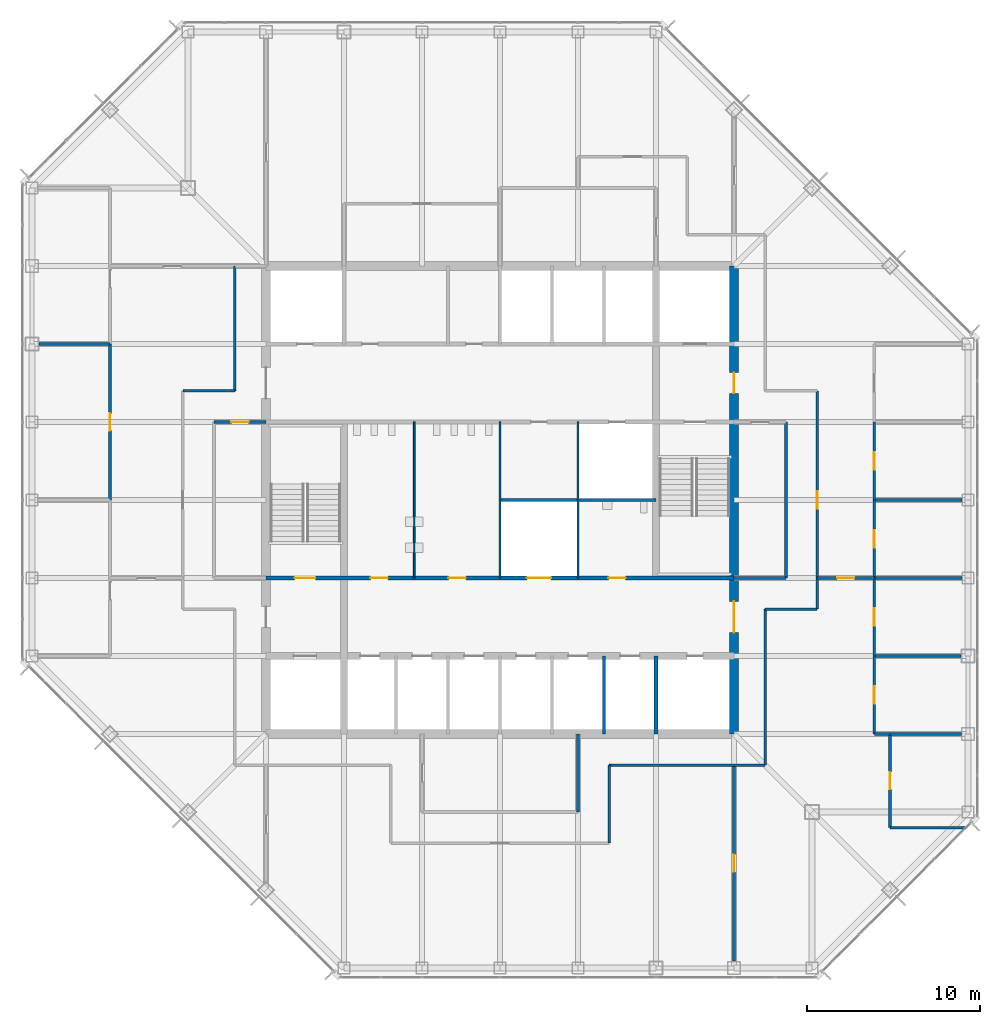
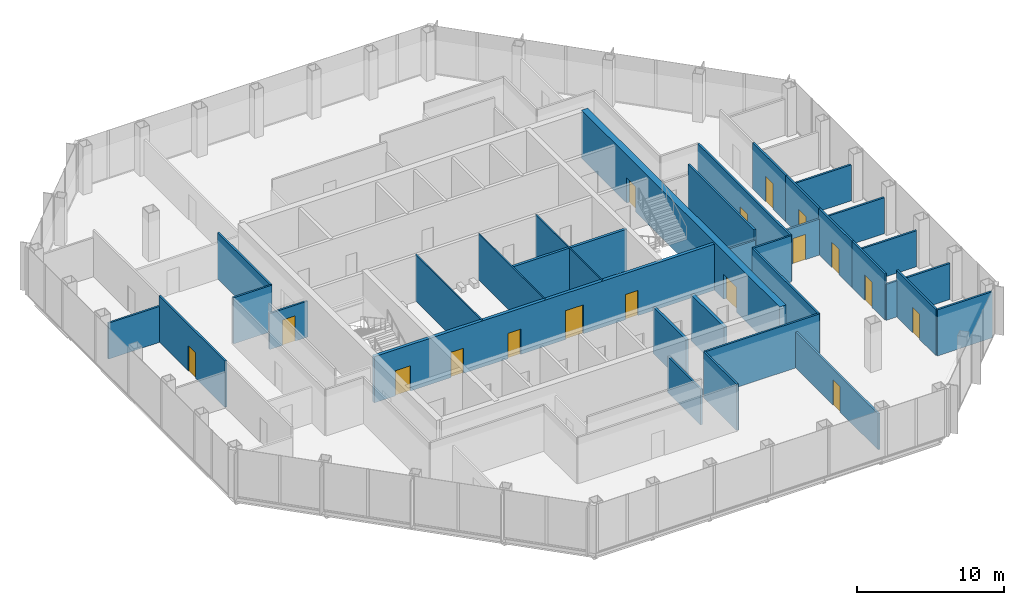
# One storey, part 9 of 13: 34 walls, 17 doors, 17 openings.
"""IFC4 building model written with IfcOpenShell, lengths in metres."""

from ifc_helpers import new_model, si_unit, direction, frame, frame_2d, origin, place, context, subcontext, project, spatial, rectangle, extrude, material, layer, layer_set, type_object, element, fill, save


model = new_model("IFC4")

# Units and contexts
model_context = context("Model", 3, precision=1e-05, world=origin(), true_north=direction((0.0, 1.0)))
body_context = subcontext(model_context, "Body", "Model", "MODEL_VIEW")
ifc_project = project(units=[si_unit("LENGTHUNIT", "METRE"), si_unit("AREAUNIT", "SQUARE_METRE"), si_unit("VOLUMEUNIT", "CUBIC_METRE"), si_unit("PLANEANGLEUNIT", "RADIAN"), si_unit("MASSUNIT", "GRAM", prefix="KILO")], contexts=[model_context])

# Site, building, storey
site_placement = place(None, origin())
site = spatial("IfcSite", under=ifc_project, at=site_placement, CompositionType="ELEMENT")
building_placement = place(site_placement, origin())
building = spatial("IfcBuilding", under=site, at=building_placement, Name="Corais Broadcast Tower", CompositionType="ELEMENT")
storey_placement = place(building_placement, frame((0.0, 0.0, 179.60009765625)))
storey = spatial("IfcBuildingStorey", under=building, at=storey_placement, Name="L41", CompositionType="ELEMENT", Elevation=179.60009765625)

# Wall
ifc_material_1 = material(Name="Concrete blockwork class A, grouted, two-hour", Category="masonry")
ifc_layer_1 = layer(ifc_material_1, 0.25)
ifc_layer_set_1 = layer_set([ifc_layer_1], Name="Concrete blockwork class A, grouted, two-hour")
wall_type_1 = type_object("IfcWallType", Name="Core lobby wall 250", PredefinedType="SOLIDWALL", material=ifc_layer_set_1)
wall_1_placement = place(storey_placement, frame((36.0, 13.5, 0.0), z_axis=(0.0, 0.0, 1.0), x_axis=(0.0, 1.0, 0.0)))
element("IfcWall", 1, at=wall_1_placement, inside=storey, type_object=wall_type_1, Name="CL2 core shaft wall X36A L41", PredefinedType="SOLIDWALL", context=body_context, shape_type="SweptSolid", body=[
    extrude(rectangle(XDim=4.5, YDim=0.25, at=frame_2d((2.25, 0.0))), origin(), (0.0, 0.0, 1.0), 3.83984375),
])

# Wall, openings, doors
wall_2_placement = place(storey_placement, frame((13.5, 22.5, 0.0), z_axis=(0.0, 0.0, 1.0), x_axis=(1.0, 0.0, 0.0)))
wall_2 = element("IfcWall", 2, at=wall_2_placement, inside=storey, type_object=wall_type_1, Name="CL2 core lobby wall Y225 L41", PredefinedType="SOLIDWALL", context=body_context, shape_type="SweptSolid", body=[
    extrude(rectangle(XDim=27.0, YDim=0.25, at=frame_2d((13.5, 0.0))), origin(), (0.0, 0.0, 1.0), 3.83984375),
])
opening_1_placement = place(wall_2_placement, frame((1.64990234375, 0.0, 0.0)))
opening_1 = element("IfcOpeningElement", 3, at=opening_1_placement, cuts=wall_2, Name="Opening FD1", PredefinedType="OPENING", context=body_context, shape_type="SweptSolid", body=[
    extrude(rectangle(XDim=1.199951171875, YDim=2.10009765625, at=frame_2d((0.60009765625, 1.050048828125))), frame((0.0, 0.135009765625, 0.0), z_axis=(0.0, -1.0, 0.0), x_axis=(1.0, 0.0, 0.0)), (0.0, 0.0, 1.0), 0.27001953125),
])
opening_2_placement = place(wall_2_placement, frame((6.02490234375, 0.0, 0.0)))
opening_2 = element("IfcOpeningElement", 4, at=opening_2_placement, cuts=wall_2, Name="Opening WD1", PredefinedType="OPENING", context=body_context, shape_type="SweptSolid", body=[
    extrude(rectangle(XDim=1.0, YDim=2.10009765625, at=frame_2d((0.5, 1.050048828125))), frame((0.0, 0.135009765625, 0.0), z_axis=(0.0, -1.0, 0.0), x_axis=(1.0, 0.0, 0.0)), (0.0, 0.0, 1.0), 0.27001953125),
])
opening_3_placement = place(wall_2_placement, frame((10.52490234375, 0.0, 0.0)))
opening_3 = element("IfcOpeningElement", 5, at=opening_3_placement, cuts=wall_2, Name="Opening WD1", PredefinedType="OPENING", context=body_context, shape_type="SweptSolid", body=[
    extrude(rectangle(XDim=1.0, YDim=2.10009765625, at=frame_2d((0.5, 1.050048828125))), frame((0.0, 0.135009765625, 0.0), z_axis=(0.0, -1.0, 0.0), x_axis=(1.0, 0.0, 0.0)), (0.0, 0.0, 1.0), 0.27001953125),
])
opening_4_placement = place(wall_2_placement, frame((19.75, 0.0, 0.0)))
opening_4 = element("IfcOpeningElement", 6, at=opening_4_placement, cuts=wall_2, Name="Opening WD1", PredefinedType="OPENING", context=body_context, shape_type="SweptSolid", body=[
    extrude(rectangle(XDim=1.0, YDim=2.10009765625, at=frame_2d((0.5, 1.050048828125))), frame((0.0, 0.135009765625, 0.0), z_axis=(0.0, -1.0, 0.0), x_axis=(1.0, 0.0, 0.0)), (0.0, 0.0, 1.0), 0.27001953125),
])
opening_5_placement = place(wall_2_placement, frame((15.050048828125, 0.0, 0.0)))
opening_5 = element("IfcOpeningElement", 7, at=opening_5_placement, cuts=wall_2, Name="Opening LD3", PredefinedType="OPENING", context=body_context, shape_type="SweptSolid", body=[
    extrude(rectangle(XDim=1.39990234375, YDim=2.39990234375, at=frame_2d((0.699951171875, 1.199951171875))), frame((0.0, 0.135009765625, 0.0), z_axis=(0.0, -1.0, 0.0), x_axis=(1.0, 0.0, 0.0)), (0.0, 0.0, 1.0), 0.27001953125),
])
ifc_material_2 = material(Name="Steel fire door", Category="steel")
door_type_1 = type_object("IfcDoorType", Name="Fire door 1200x2100", OperationType="SINGLE_SWING_LEFT", PredefinedType="DOOR", material=ifc_material_2)
door_1_placement = place(opening_1_placement, origin())
door_1 = element("IfcDoor", 8, at=door_1_placement, inside=storey, type_object=door_type_1, Name="FD1 stair A door L41", OperationType="SINGLE_SWING_LEFT", OverallHeight=2.10009765625, OverallWidth=1.199951171875, PredefinedType="DOOR", context=body_context, shape_type="SweptSolid", body=[
    extrude(rectangle(XDim=1.199951171875, YDim=2.10009765625, at=frame_2d((0.60009765625, 1.050048828125))), frame((0.0, 0.02490234375, 0.0), z_axis=(0.0, -1.0, 0.0), x_axis=(1.0, 0.0, 0.0)), (0.0, 0.0, 1.0), 0.050048828125),
])
fill(opening_1, door_1)
ifc_material_3 = material(Name="Stainless steel lift door", Category="steel")
door_type_2 = type_object("IfcDoorType", Name="Service lift landing door 1400x2400", OperationType="SLIDING_TO_LEFT", PredefinedType="DOOR", material=ifc_material_3)
door_2_placement = place(opening_5_placement, origin())
door_2 = element("IfcDoor", 9, at=door_2_placement, inside=storey, type_object=door_type_2, Name="LD3 SL1 landing door L41", OperationType="SLIDING_TO_LEFT", OverallHeight=2.39990234375, OverallWidth=1.39990234375, PredefinedType="DOOR", context=body_context, shape_type="SweptSolid", body=[
    extrude(rectangle(XDim=1.39990234375, YDim=2.39990234375, at=frame_2d((0.699951171875, 1.199951171875))), frame((0.0, 0.02490234375, 0.0), z_axis=(0.0, -1.0, 0.0), x_axis=(1.0, 0.0, 0.0)), (0.0, 0.0, 1.0), 0.050048828125),
])
fill(opening_5, door_2)
ifc_material_4 = material(Name="Timber door", Category="wood")
door_type_3 = type_object("IfcDoorType", Name="Toilet door 1000x2100", OperationType="SINGLE_SWING_LEFT", PredefinedType="DOOR", material=ifc_material_4)
door_3_placement = place(opening_2_placement, origin())
door_3 = element("IfcDoor", 10, at=door_3_placement, inside=storey, type_object=door_type_3, Name="WD1 WC male door L41", OperationType="SINGLE_SWING_LEFT", OverallHeight=2.10009765625, OverallWidth=1.0, PredefinedType="DOOR", context=body_context, shape_type="SweptSolid", body=[
    extrude(rectangle(XDim=1.0, YDim=2.10009765625, at=frame_2d((0.5, 1.050048828125))), frame((0.0, 0.02490234375, 0.0), z_axis=(0.0, -1.0, 0.0), x_axis=(1.0, 0.0, 0.0)), (0.0, 0.0, 1.0), 0.050048828125),
])
fill(opening_2, door_3)
door_4_placement = place(opening_3_placement, origin())
door_4 = element("IfcDoor", 11, at=door_4_placement, inside=storey, type_object=door_type_3, Name="WD1 WC female door L41", OperationType="SINGLE_SWING_LEFT", OverallHeight=2.10009765625, OverallWidth=1.0, PredefinedType="DOOR", context=body_context, shape_type="SweptSolid", body=[
    extrude(rectangle(XDim=1.0, YDim=2.10009765625, at=frame_2d((0.5, 1.050048828125))), frame((0.0, 0.02490234375, 0.0), z_axis=(0.0, -1.0, 0.0), x_axis=(1.0, 0.0, 0.0)), (0.0, 0.0, 1.0), 0.050048828125),
])
fill(opening_3, door_4)
door_5_placement = place(opening_4_placement, origin())
door_5 = element("IfcDoor", 12, at=door_5_placement, inside=storey, type_object=door_type_3, Name="WD1 accessible WC door L41", OperationType="SINGLE_SWING_RIGHT", OverallHeight=2.10009765625, OverallWidth=1.0, PredefinedType="DOOR", context=body_context, shape_type="SweptSolid", body=[
    extrude(rectangle(XDim=1.0, YDim=2.10009765625, at=frame_2d((0.5, 1.050048828125))), frame((0.0, 0.02490234375, 0.0), z_axis=(0.0, -1.0, 0.0), x_axis=(1.0, 0.0, 0.0)), (0.0, 0.0, 1.0), 0.050048828125),
])
fill(opening_4, door_5)

ifc_material_5 = material(Name="Concrete C50/60", Category="concrete")
ifc_layer_2 = layer(ifc_material_5, 0.5)
ifc_layer_set_2 = layer_set([ifc_layer_2], Name="Concrete C50/60")
wall_type_2 = type_object("IfcWallType", Name="Core wall 500", PredefinedType="SHEAR", material=ifc_layer_set_2)
wall_3_placement = place(storey_placement, frame((40.5, 13.5, 0.0), z_axis=(0.0, 0.0, 1.0), x_axis=(0.0, 1.0, 0.0)))
wall_3 = element("IfcWall", 13, at=wall_3_placement, inside=storey, type_object=wall_type_2, Name="CR500 core wall E L41", PredefinedType="SHEAR", context=body_context, shape_type="SweptSolid", body=[
    extrude(rectangle(XDim=27.0, YDim=0.5, at=frame_2d((13.5, 0.0))), origin(), (0.0, 0.0, 1.0), 4.0),
])
opening_6_placement = place(wall_3_placement, frame((5.85009765625, 0.0, 0.0)))
opening_6 = element("IfcOpeningElement", 14, at=opening_6_placement, cuts=wall_3, Name="Opening FD2", PredefinedType="OPENING", context=body_context, shape_type="SweptSolid", body=[
    extrude(rectangle(XDim=1.800048828125, YDim=2.10009765625, at=frame_2d((0.89990234375, 1.050048828125))), frame((0.0, 0.260009765625, 0.0), z_axis=(0.0, -1.0, 0.0), x_axis=(1.0, 0.0, 0.0)), (0.0, 0.0, 1.0), 0.52001953125),
])
opening_7_placement = place(wall_3_placement, frame((19.64990234375, 0.0, 0.0)))
opening_7 = element("IfcOpeningElement", 15, at=opening_7_placement, cuts=wall_3, Name="Opening FD1", PredefinedType="OPENING", context=body_context, shape_type="SweptSolid", body=[
    extrude(rectangle(XDim=1.199951171875, YDim=2.10009765625, at=frame_2d((0.60009765625, 1.050048828125))), frame((0.0, 0.260009765625, 0.0), z_axis=(0.0, -1.0, 0.0), x_axis=(1.0, 0.0, 0.0)), (0.0, 0.0, 1.0), 0.52001953125),
])
door_6_placement = place(opening_7_placement, origin())
door_6 = element("IfcDoor", 16, at=door_6_placement, inside=storey, type_object=door_type_1, Name="FD1 fire lobby B door L41", OperationType="SINGLE_SWING_RIGHT", OverallHeight=2.10009765625, OverallWidth=1.199951171875, PredefinedType="DOOR", context=body_context, shape_type="SweptSolid", body=[
    extrude(rectangle(XDim=1.199951171875, YDim=2.10009765625, at=frame_2d((0.60009765625, 1.050048828125))), frame((0.0, 0.02490234375, 0.0), z_axis=(0.0, -1.0, 0.0), x_axis=(1.0, 0.0, 0.0)), (0.0, 0.0, 1.0), 0.050048828125),
])
fill(opening_7, door_6)
ifc_material_6 = material(Name="Steel fire door", Category="steel")
door_type_4 = type_object("IfcDoorType", Name="Fire door pair 1800x2100", OperationType="DOUBLE_DOOR_SINGLE_SWING", PredefinedType="DOOR", material=ifc_material_6)
door_7_placement = place(opening_6_placement, origin())
door_7 = element("IfcDoor", 17, at=door_7_placement, inside=storey, type_object=door_type_4, Name="FD2 lift lobby door L41", OperationType="SINGLE_SWING_LEFT", OverallHeight=2.10009765625, OverallWidth=1.800048828125, PredefinedType="DOOR", context=body_context, shape_type="SweptSolid", body=[
    extrude(rectangle(XDim=1.800048828125, YDim=2.10009765625, at=frame_2d((0.89990234375, 1.050048828125))), frame((0.0, 0.02490234375, 0.0), z_axis=(0.0, -1.0, 0.0), x_axis=(1.0, 0.0, 0.0)), (0.0, 0.0, 1.0), 0.050048828125),
])
fill(opening_6, door_7)

# Wall, opening, door
ifc_material_7 = material(Name="Gypsum board on steel studs", Category="steel")
ifc_layer_3 = layer(ifc_material_7, 0.14990234375)
ifc_layer_set_3 = layer_set([ifc_layer_3], Name="Gypsum board on steel studs")
wall_type_3 = type_object("IfcWallType", Name="Partition 150", PredefinedType="PARTITIONING", material=ifc_layer_set_3)
wall_4_placement = place(storey_placement, frame((45.300048828125, 20.699951171875, 0.0), z_axis=(0.0, 0.0, 1.0), x_axis=(0.0, 1.0, 0.0)))
wall_4 = element("IfcWall", 18, at=wall_4_placement, inside=storey, type_object=wall_type_3, Name="IW3 corridor wall L41", PredefinedType="PARTITIONING", context=body_context, shape_type="SweptSolid", body=[
    extrude(rectangle(XDim=12.60009765625, YDim=0.14990234375, at=frame_2d((6.300048828125, 0.0))), origin(), (0.0, 0.0, 1.0), 3.83984375),
])
opening_8_placement = place(wall_4_placement, frame((5.800048828125, 0.0, 0.0)))
opening_8 = element("IfcOpeningElement", 19, at=opening_8_placement, cuts=wall_4, Name="Opening D1", PredefinedType="OPENING", context=body_context, shape_type="SweptSolid", body=[
    extrude(rectangle(XDim=1.0, YDim=2.10009765625, at=frame_2d((0.5, 1.050048828125))), frame((0.0, 0.0849609375, 0.0), z_axis=(0.0, -1.0, 0.0), x_axis=(1.0, 0.0, 0.0)), (0.0, 0.0, 1.0), 0.169921875),
])
ifc_material_8 = material(Name="Timber door", Category="wood")
door_type_5 = type_object("IfcDoorType", Name="Single door 1000x2100", OperationType="SINGLE_SWING_LEFT", PredefinedType="DOOR", material=ifc_material_8)
door_8_placement = place(opening_8_placement, origin())
door_8 = element("IfcDoor", 20, at=door_8_placement, inside=storey, type_object=door_type_5, Name="D1 workplace door L41", OperationType="SINGLE_SWING_LEFT", OverallHeight=2.10009765625, OverallWidth=1.0, PredefinedType="DOOR", context=body_context, shape_type="SweptSolid", body=[
    extrude(rectangle(XDim=1.0, YDim=2.10009765625, at=frame_2d((0.5, 1.050048828125))), frame((0.0, 0.02490234375, 0.0), z_axis=(0.0, -1.0, 0.0), x_axis=(1.0, 0.0, 0.0)), (0.0, 0.0, 1.0), 0.050048828125),
])
fill(opening_8, door_8)

# Walls
for number, where, z_axis, x_axis, name in (
    (21, (33.300048828125, 11.699951171875, 0.0), (0.0, 0.0, 1.0), (1.0, 0.0, 0.0), "IW3 corridor wall L41"),
    (22, (42.300048828125, 11.699951171875, 0.0), (0.0, 0.0, 1.0), (0.0, 1.0, 0.0), "IW3 corridor wall L41"),
):
    element("IfcWall", number, at=place(storey_placement, frame(where, z_axis=z_axis, x_axis=x_axis)), inside=storey, type_object=wall_type_3, Name=name, PredefinedType="PARTITIONING", context=body_context, shape_type="SweptSolid", body=[
        extrude(rectangle(XDim=9.0, YDim=0.14990234375, at=frame_2d((4.5, 0.0))), origin(), (0.0, 0.0, 1.0), 3.83984375),
    ])
wall_5_placement = place(storey_placement, frame((11.699951171875, 40.5, 0.0), z_axis=(0.0, 0.0, 1.0), x_axis=(0.0, -1.0, 0.0)))
element("IfcWall", 23, at=wall_5_placement, inside=storey, type_object=wall_type_3, Name="IW3 corridor wall L41", PredefinedType="PARTITIONING", context=body_context, shape_type="SweptSolid", body=[
    extrude(rectangle(XDim=7.199951171875, YDim=0.14990234375, at=frame_2d((3.60009765625, 0.0))), origin(), (0.0, 0.0, 1.0), 3.83984375),
])
wall_6_placement = place(storey_placement, frame((33.300048828125, 7.199951171875, 0.0), z_axis=(0.0, 0.0, 1.0), x_axis=(0.0, 1.0, 0.0)))
element("IfcWall", 24, at=wall_6_placement, inside=storey, type_object=wall_type_3, Name="IW3 corridor wall L41", PredefinedType="PARTITIONING", context=body_context, shape_type="SweptSolid", body=[
    extrude(rectangle(XDim=4.5, YDim=0.14990234375, at=frame_2d((2.25, 0.0))), origin(), (0.0, 0.0, 1.0), 3.83984375),
])
for number, where, z_axis, x_axis, name in (
    (25, (11.699951171875, 33.300048828125, 0.0), (0.0, 0.0, 1.0), (-1.0, 0.0, 0.0), "IW3 corridor wall L41"),
    (26, (42.300048828125, 20.699951171875, 0.0), (0.0, 0.0, 1.0), (1.0, 0.0, 0.0), "IW3 corridor wall L41"),
):
    element("IfcWall", number, at=place(storey_placement, frame(where, z_axis=z_axis, x_axis=x_axis)), inside=storey, type_object=wall_type_3, Name=name, PredefinedType="PARTITIONING", context=body_context, shape_type="SweptSolid", body=[
        extrude(rectangle(XDim=3.0, YDim=0.14990234375, at=frame_2d((1.5, 0.0))), origin(), (0.0, 0.0, 1.0), 3.83984375),
    ])

# Wall, opening, door
wall_7_placement = place(storey_placement, frame((4.5, 27.0, 0.0), z_axis=(0.0, 0.0, 1.0), x_axis=(0.0, 1.0, 0.0)))
wall_7 = element("IfcWall", 27, at=wall_7_placement, inside=storey, type_object=wall_type_3, Name="IW3 partition L41", PredefinedType="PARTITIONING", context=body_context, shape_type="SweptSolid", body=[
    extrude(rectangle(XDim=9.0, YDim=0.14990234375, at=frame_2d((4.5, 0.0))), origin(), (0.0, 0.0, 1.0), 3.83984375),
])
opening_9_placement = place(wall_7_placement, frame((4.0, 0.0, 0.0)))
opening_9 = element("IfcOpeningElement", 28, at=opening_9_placement, cuts=wall_7, Name="Opening D1", PredefinedType="OPENING", context=body_context, shape_type="SweptSolid", body=[
    extrude(rectangle(XDim=1.0, YDim=2.10009765625, at=frame_2d((0.5, 1.050048828125))), frame((0.0, 0.0849609375, 0.0), z_axis=(0.0, -1.0, 0.0), x_axis=(1.0, 0.0, 0.0)), (0.0, 0.0, 1.0), 0.169921875),
])
door_9_placement = place(opening_9_placement, origin())
door_9 = element("IfcDoor", 29, at=door_9_placement, inside=storey, type_object=door_type_5, Name="D1 Office door", OperationType="SINGLE_SWING_LEFT", OverallHeight=2.10009765625, OverallWidth=1.0, PredefinedType="DOOR", context=body_context, shape_type="SweptSolid", body=[
    extrude(rectangle(XDim=1.0, YDim=2.10009765625, at=frame_2d((0.5, 1.050048828125))), frame((0.0, 0.02490234375, 0.0), z_axis=(0.0, -1.0, 0.0), x_axis=(1.0, 0.0, 0.0)), (0.0, 0.0, 1.0), 0.050048828125),
])
fill(opening_9, door_9)

# Walls
wall_8_placement = place(storey_placement, frame((4.5, 36.0, 0.0), z_axis=(0.0, 0.0, 1.0), x_axis=(-1.0, 0.0, 0.0)))
element("IfcWall", 30, at=wall_8_placement, inside=storey, type_object=wall_type_3, Name="IW3 partition L41", PredefinedType="PARTITIONING", context=body_context, shape_type="SweptSolid", body=[
    extrude(rectangle(XDim=4.090087890625, YDim=0.14990234375, at=frame_2d((2.044921875, 0.0))), origin(), (0.0, 0.0, 1.0), 2.989013671875),
])
wall_9_placement = place(storey_placement, frame((49.5, 8.10009765625, 0.0), z_axis=(0.0, 0.0, 1.0), x_axis=(1.0, 0.0, 0.0)))
element("IfcWall", 31, at=wall_9_placement, inside=storey, type_object=wall_type_3, Name="IW3 partition L41", PredefinedType="PARTITIONING", context=body_context, shape_type="SweptSolid", body=[
    extrude(rectangle(XDim=4.33544921875, YDim=0.14990234375, at=frame_2d((2.167724609375, 0.0))), origin(), (0.0, 0.0, 1.0), 3.83984375),
])
wall_10_placement = place(storey_placement, frame((53.614990234375, 13.5, 0.0), z_axis=(0.0, 0.0, 1.0), x_axis=(-1.0, 0.0, 0.0)))
element("IfcWall", 32, at=wall_10_placement, inside=storey, type_object=wall_type_3, Name="IW3 partition L41", PredefinedType="PARTITIONING", context=body_context, shape_type="SweptSolid", body=[
    extrude(rectangle(XDim=4.114990234375, YDim=0.14990234375, at=frame_2d((2.0576171875, 0.0))), origin(), (0.0, 0.0, 1.0), 2.989013671875),
])

# Wall, opening, door
wall_11_placement = place(storey_placement, frame((49.5, 13.5, 0.0), z_axis=(0.0, 0.0, 1.0), x_axis=(0.0, -1.0, 0.0)))
wall_11 = element("IfcWall", 33, at=wall_11_placement, inside=storey, type_object=wall_type_3, Name="IW3 partition L41", PredefinedType="PARTITIONING", context=body_context, shape_type="SweptSolid", body=[
    extrude(rectangle(XDim=5.39990234375, YDim=0.14990234375, at=frame_2d((2.699951171875, 0.0))), origin(), (0.0, 0.0, 1.0), 3.83984375),
])
opening_10_placement = place(wall_11_placement, frame((2.199951171875, 0.0, 0.0)))
opening_10 = element("IfcOpeningElement", 34, at=opening_10_placement, cuts=wall_11, Name="Opening D1", PredefinedType="OPENING", context=body_context, shape_type="SweptSolid", body=[
    extrude(rectangle(XDim=1.0, YDim=2.10009765625, at=frame_2d((0.5, 1.050048828125))), frame((0.0, 0.0849609375, 0.0), z_axis=(0.0, -1.0, 0.0), x_axis=(1.0, 0.0, 0.0)), (0.0, 0.0, 1.0), 0.169921875),
])
door_10_placement = place(opening_10_placement, origin())
door_10 = element("IfcDoor", 35, at=door_10_placement, inside=storey, type_object=door_type_5, Name="D1 Office door", OperationType="SINGLE_SWING_LEFT", OverallHeight=2.10009765625, OverallWidth=1.0, PredefinedType="DOOR", context=body_context, shape_type="SweptSolid", body=[
    extrude(rectangle(XDim=1.0, YDim=2.10009765625, at=frame_2d((0.5, 1.050048828125))), frame((0.0, 0.02490234375, 0.0), z_axis=(0.0, -1.0, 0.0), x_axis=(1.0, 0.0, 0.0)), (0.0, 0.0, 1.0), 0.050048828125),
])
fill(opening_10, door_10)

# Walls
wall_12_placement = place(storey_placement, frame((48.60009765625, 13.5, 0.0), z_axis=(0.0, 0.0, 1.0), x_axis=(1.0, 0.0, 0.0)))
element("IfcWall", 36, at=wall_12_placement, inside=storey, type_object=wall_type_3, Name="IW3 partition L41", PredefinedType="PARTITIONING", context=body_context, shape_type="SweptSolid", body=[
    extrude(rectangle(XDim=0.89990234375, YDim=0.14990234375, at=frame_2d((0.449951171875, 0.0))), origin(), (0.0, 0.0, 1.0), 2.989013671875),
])
wall_13_placement = place(storey_placement, frame((53.590087890625, 18.0, 0.0), z_axis=(0.0, 0.0, 1.0), x_axis=(-1.0, 0.0, 0.0)))
element("IfcWall", 37, at=wall_13_placement, inside=storey, type_object=wall_type_3, Name="IW3 partition L41", PredefinedType="PARTITIONING", context=body_context, shape_type="SweptSolid", body=[
    extrude(rectangle(XDim=4.989990234375, YDim=0.14990234375, at=frame_2d((2.4951171875, 0.0))), origin(), (0.0, 0.0, 1.0), 2.989013671875),
])

# Wall, opening, door
wall_14_placement = place(storey_placement, frame((48.60009765625, 18.0, 0.0), z_axis=(0.0, 0.0, 1.0), x_axis=(0.0, -1.0, 0.0)))
wall_14 = element("IfcWall", 38, at=wall_14_placement, inside=storey, type_object=wall_type_3, Name="IW3 partition L41", PredefinedType="PARTITIONING", context=body_context, shape_type="SweptSolid", body=[
    extrude(rectangle(XDim=4.5, YDim=0.14990234375, at=frame_2d((2.25, 0.0))), origin(), (0.0, 0.0, 1.0), 3.83984375),
])
opening_11_placement = place(wall_14_placement, frame((1.75, 0.0, 0.0)))
opening_11 = element("IfcOpeningElement", 39, at=opening_11_placement, cuts=wall_14, Name="Opening D1", PredefinedType="OPENING", context=body_context, shape_type="SweptSolid", body=[
    extrude(rectangle(XDim=1.0, YDim=2.10009765625, at=frame_2d((0.5, 1.050048828125))), frame((0.0, 0.0849609375, 0.0), z_axis=(0.0, -1.0, 0.0), x_axis=(1.0, 0.0, 0.0)), (0.0, 0.0, 1.0), 0.169921875),
])
door_11_placement = place(opening_11_placement, origin())
door_11 = element("IfcDoor", 40, at=door_11_placement, inside=storey, type_object=door_type_5, Name="D1 Office door", OperationType="SINGLE_SWING_LEFT", OverallHeight=2.10009765625, OverallWidth=1.0, PredefinedType="DOOR", context=body_context, shape_type="SweptSolid", body=[
    extrude(rectangle(XDim=1.0, YDim=2.10009765625, at=frame_2d((0.5, 1.050048828125))), frame((0.0, 0.02490234375, 0.0), z_axis=(0.0, -1.0, 0.0), x_axis=(1.0, 0.0, 0.0)), (0.0, 0.0, 1.0), 0.050048828125),
])
fill(opening_11, door_11)

# Wall
wall_15_placement = place(storey_placement, frame((53.639892578125, 22.5, 0.0), z_axis=(0.0, 0.0, 1.0), x_axis=(-1.0, 0.0, 0.0)))
element("IfcWall", 41, at=wall_15_placement, inside=storey, type_object=wall_type_3, Name="IW3 partition L41", PredefinedType="PARTITIONING", context=body_context, shape_type="SweptSolid", body=[
    extrude(rectangle(XDim=5.039794921875, YDim=0.14990234375, at=frame_2d((2.52001953125, 0.0))), origin(), (0.0, 0.0, 1.0), 2.989013671875),
])

# Wall, opening, door
wall_16_placement = place(storey_placement, frame((48.60009765625, 22.5, 0.0), z_axis=(0.0, 0.0, 1.0), x_axis=(0.0, -1.0, 0.0)))
wall_16 = element("IfcWall", 42, at=wall_16_placement, inside=storey, type_object=wall_type_3, Name="IW3 partition L41", PredefinedType="PARTITIONING", context=body_context, shape_type="SweptSolid", body=[
    extrude(rectangle(XDim=4.5, YDim=0.14990234375, at=frame_2d((2.25, 0.0))), origin(), (0.0, 0.0, 1.0), 3.83984375),
])
opening_12_placement = place(wall_16_placement, frame((1.75, 0.0, 0.0)))
opening_12 = element("IfcOpeningElement", 43, at=opening_12_placement, cuts=wall_16, Name="Opening D1", PredefinedType="OPENING", context=body_context, shape_type="SweptSolid", body=[
    extrude(rectangle(XDim=1.0, YDim=2.10009765625, at=frame_2d((0.5, 1.050048828125))), frame((0.0, 0.0849609375, 0.0), z_axis=(0.0, -1.0, 0.0), x_axis=(1.0, 0.0, 0.0)), (0.0, 0.0, 1.0), 0.169921875),
])
door_12_placement = place(opening_12_placement, origin())
door_12 = element("IfcDoor", 44, at=door_12_placement, inside=storey, type_object=door_type_5, Name="D1 Office door", OperationType="SINGLE_SWING_LEFT", OverallHeight=2.10009765625, OverallWidth=1.0, PredefinedType="DOOR", context=body_context, shape_type="SweptSolid", body=[
    extrude(rectangle(XDim=1.0, YDim=2.10009765625, at=frame_2d((0.5, 1.050048828125))), frame((0.0, 0.02490234375, 0.0), z_axis=(0.0, -1.0, 0.0), x_axis=(1.0, 0.0, 0.0)), (0.0, 0.0, 1.0), 0.050048828125),
])
fill(opening_12, door_12)

# Wall
wall_17_placement = place(storey_placement, frame((53.639892578125, 27.0, 0.0), z_axis=(0.0, 0.0, 1.0), x_axis=(-1.0, 0.0, 0.0)))
element("IfcWall", 45, at=wall_17_placement, inside=storey, type_object=wall_type_3, Name="IW3 partition L41", PredefinedType="PARTITIONING", context=body_context, shape_type="SweptSolid", body=[
    extrude(rectangle(XDim=5.039794921875, YDim=0.14990234375, at=frame_2d((2.52001953125, 0.0))), origin(), (0.0, 0.0, 1.0), 2.989013671875),
])

# Wall, opening, door
wall_18_placement = place(storey_placement, frame((48.60009765625, 27.0, 0.0), z_axis=(0.0, 0.0, 1.0), x_axis=(0.0, -1.0, 0.0)))
wall_18 = element("IfcWall", 46, at=wall_18_placement, inside=storey, type_object=wall_type_3, Name="IW3 partition L41", PredefinedType="PARTITIONING", context=body_context, shape_type="SweptSolid", body=[
    extrude(rectangle(XDim=4.5, YDim=0.14990234375, at=frame_2d((2.25, 0.0))), origin(), (0.0, 0.0, 1.0), 3.83984375),
])
opening_13_placement = place(wall_18_placement, frame((1.75, 0.0, 0.0)))
opening_13 = element("IfcOpeningElement", 47, at=opening_13_placement, cuts=wall_18, Name="Opening D1", PredefinedType="OPENING", context=body_context, shape_type="SweptSolid", body=[
    extrude(rectangle(XDim=1.0, YDim=2.10009765625, at=frame_2d((0.5, 1.050048828125))), frame((0.0, 0.0849609375, 0.0), z_axis=(0.0, -1.0, 0.0), x_axis=(1.0, 0.0, 0.0)), (0.0, 0.0, 1.0), 0.169921875),
])
door_13_placement = place(opening_13_placement, origin())
door_13 = element("IfcDoor", 48, at=door_13_placement, inside=storey, type_object=door_type_5, Name="D1 Office door", OperationType="SINGLE_SWING_LEFT", OverallHeight=2.10009765625, OverallWidth=1.0, PredefinedType="DOOR", context=body_context, shape_type="SweptSolid", body=[
    extrude(rectangle(XDim=1.0, YDim=2.10009765625, at=frame_2d((0.5, 1.050048828125))), frame((0.0, 0.02490234375, 0.0), z_axis=(0.0, -1.0, 0.0), x_axis=(1.0, 0.0, 0.0)), (0.0, 0.0, 1.0), 0.050048828125),
])
fill(opening_13, door_13)

wall_19_placement = place(storey_placement, frame((48.60009765625, 31.5, 0.0), z_axis=(0.0, 0.0, 1.0), x_axis=(0.0, -1.0, 0.0)))
wall_19 = element("IfcWall", 49, at=wall_19_placement, inside=storey, type_object=wall_type_3, Name="IW3 partition L41", PredefinedType="PARTITIONING", context=body_context, shape_type="SweptSolid", body=[
    extrude(rectangle(XDim=4.5, YDim=0.14990234375, at=frame_2d((2.25, 0.0))), origin(), (0.0, 0.0, 1.0), 3.83984375),
])
opening_14_placement = place(wall_19_placement, frame((1.75, 0.0, 0.0)))
opening_14 = element("IfcOpeningElement", 50, at=opening_14_placement, cuts=wall_19, Name="Opening D1", PredefinedType="OPENING", context=body_context, shape_type="SweptSolid", body=[
    extrude(rectangle(XDim=1.0, YDim=2.10009765625, at=frame_2d((0.5, 1.050048828125))), frame((0.0, 0.0849609375, 0.0), z_axis=(0.0, -1.0, 0.0), x_axis=(1.0, 0.0, 0.0)), (0.0, 0.0, 1.0), 0.169921875),
])
door_14_placement = place(opening_14_placement, origin())
door_14 = element("IfcDoor", 51, at=door_14_placement, inside=storey, type_object=door_type_5, Name="D1 Office door", OperationType="SINGLE_SWING_LEFT", OverallHeight=2.10009765625, OverallWidth=1.0, PredefinedType="DOOR", context=body_context, shape_type="SweptSolid", body=[
    extrude(rectangle(XDim=1.0, YDim=2.10009765625, at=frame_2d((0.5, 1.050048828125))), frame((0.0, 0.02490234375, 0.0), z_axis=(0.0, -1.0, 0.0), x_axis=(1.0, 0.0, 0.0)), (0.0, 0.0, 1.0), 0.050048828125),
])
fill(opening_14, door_14)

# Walls
wall_20_placement = place(storey_placement, frame((31.5, 9.0, 0.0), z_axis=(0.0, 0.0, 1.0), x_axis=(0.0, 1.0, 0.0)))
element("IfcWall", 52, at=wall_20_placement, inside=storey, type_object=wall_type_3, Name="IW3 partition L41", PredefinedType="PARTITIONING", context=body_context, shape_type="SweptSolid", body=[
    extrude(rectangle(XDim=4.5, YDim=0.14990234375, at=frame_2d((2.25, 0.0))), origin(), (0.0, 0.0, 1.0), 2.989013671875),
])
wall_21_placement = place(storey_placement, frame((40.5, 22.5, 0.0), z_axis=(0.0, 0.0, 1.0), x_axis=(1.0, 0.0, 0.0)))
element("IfcWall", 53, at=wall_21_placement, inside=storey, type_object=wall_type_3, Name="IW3 partition L41", PredefinedType="PARTITIONING", context=body_context, shape_type="SweptSolid", body=[
    extrude(rectangle(XDim=3.0, YDim=0.14990234375, at=frame_2d((1.5, 0.0))), origin(), (0.0, 0.0, 1.0), 2.989013671875),
])
wall_22_placement = place(storey_placement, frame((43.5, 22.5, 0.0), z_axis=(0.0, 0.0, 1.0), x_axis=(0.0, 1.0, 0.0)))
element("IfcWall", 54, at=wall_22_placement, inside=storey, type_object=wall_type_3, Name="IW3 partition L41", PredefinedType="PARTITIONING", context=body_context, shape_type="SweptSolid", body=[
    extrude(rectangle(XDim=9.0, YDim=0.14990234375, at=frame_2d((4.5, 0.0))), origin(), (0.0, 0.0, 1.0), 3.83984375),
])

# Wall, opening, door
wall_23_placement = place(storey_placement, frame((13.5, 31.5, 0.0), z_axis=(0.0, 0.0, 1.0), x_axis=(-1.0, 0.0, 0.0)))
wall_23 = element("IfcWall", 55, at=wall_23_placement, inside=storey, type_object=wall_type_3, Name="IW3 partition L41", PredefinedType="PARTITIONING", context=body_context, shape_type="SweptSolid", body=[
    extrude(rectangle(XDim=3.0, YDim=0.14990234375, at=frame_2d((1.5, 0.0))), origin(), (0.0, 0.0, 1.0), 2.989013671875),
])
opening_15_placement = place(wall_23_placement, frame((1.0, 0.0, 0.0)))
opening_15 = element("IfcOpeningElement", 56, at=opening_15_placement, cuts=wall_23, Name="Opening D1", PredefinedType="OPENING", context=body_context, shape_type="SweptSolid", body=[
    extrude(rectangle(XDim=1.0, YDim=2.10009765625, at=frame_2d((0.5, 1.050048828125))), frame((0.0, 0.0849609375, 0.0), z_axis=(0.0, -1.0, 0.0), x_axis=(1.0, 0.0, 0.0)), (0.0, 0.0, 1.0), 0.169921875),
])
door_15_placement = place(opening_15_placement, origin())
door_15 = element("IfcDoor", 57, at=door_15_placement, inside=storey, type_object=door_type_5, Name="D1 Breakout lounge door", OperationType="SINGLE_SWING_LEFT", OverallHeight=2.10009765625, OverallWidth=1.0, PredefinedType="DOOR", context=body_context, shape_type="SweptSolid", body=[
    extrude(rectangle(XDim=1.0, YDim=2.10009765625, at=frame_2d((0.5, 1.050048828125))), frame((0.0, 0.02490234375, 0.0), z_axis=(0.0, -1.0, 0.0), x_axis=(1.0, 0.0, 0.0)), (0.0, 0.0, 1.0), 0.050048828125),
])
fill(opening_15, door_15)

wall_24_placement = place(storey_placement, frame((40.5, 0.39501953125, 0.0), z_axis=(0.0, 0.0, 1.0), x_axis=(0.0, 1.0, 0.0)))
wall_24 = element("IfcWall", 58, at=wall_24_placement, inside=storey, type_object=wall_type_3, Name="IW3 partition L41", PredefinedType="PARTITIONING", context=body_context, shape_type="SweptSolid", body=[
    extrude(rectangle(XDim=11.304931640625, YDim=0.14990234375, at=frame_2d((5.65234375, 0.0))), origin(), (0.0, 0.0, 1.0), 2.989013671875),
])
opening_16_placement = place(wall_24_placement, frame((5.152587890625, 0.0, 0.0)))
opening_16 = element("IfcOpeningElement", 59, at=opening_16_placement, cuts=wall_24, Name="Opening D1", PredefinedType="OPENING", context=body_context, shape_type="SweptSolid", body=[
    extrude(rectangle(XDim=1.0, YDim=2.10009765625, at=frame_2d((0.5, 1.050048828125))), frame((0.0, 0.0849609375, 0.0), z_axis=(0.0, -1.0, 0.0), x_axis=(1.0, 0.0, 0.0)), (0.0, 0.0, 1.0), 0.169921875),
])
door_16_placement = place(opening_16_placement, origin())
door_16 = element("IfcDoor", 60, at=door_16_placement, inside=storey, type_object=door_type_5, Name="D1 team room door L41", OperationType="SINGLE_SWING_LEFT", OverallHeight=2.10009765625, OverallWidth=1.0, PredefinedType="DOOR", context=body_context, shape_type="SweptSolid", body=[
    extrude(rectangle(XDim=1.0, YDim=2.10009765625, at=frame_2d((0.5, 1.050048828125))), frame((0.0, 0.02490234375, 0.0), z_axis=(0.0, -1.0, 0.0), x_axis=(1.0, 0.0, 0.0)), (0.0, 0.0, 1.0), 0.050048828125),
])
fill(opening_16, door_16)

wall_25_placement = place(storey_placement, frame((45.300048828125, 22.5, 0.0), z_axis=(0.0, 0.0, 1.0), x_axis=(1.0, 0.0, 0.0)))
wall_25 = element("IfcWall", 61, at=wall_25_placement, inside=storey, type_object=wall_type_3, Name="IW3 partition L41", PredefinedType="PARTITIONING", context=body_context, shape_type="SweptSolid", body=[
    extrude(rectangle(XDim=3.300048828125, YDim=0.14990234375, at=frame_2d((1.64990234375, 0.0))), origin(), (0.0, 0.0, 1.0), 2.989013671875),
])
opening_17_placement = place(wall_25_placement, frame((1.14990234375, 0.0, 0.0)))
opening_17 = element("IfcOpeningElement", 62, at=opening_17_placement, cuts=wall_25, Name="Opening D1", PredefinedType="OPENING", context=body_context, shape_type="SweptSolid", body=[
    extrude(rectangle(XDim=1.0, YDim=2.10009765625, at=frame_2d((0.5, 1.050048828125))), frame((0.0, 0.0849609375, 0.0), z_axis=(0.0, -1.0, 0.0), x_axis=(1.0, 0.0, 0.0)), (0.0, 0.0, 1.0), 0.169921875),
])
door_17_placement = place(opening_17_placement, origin())
door_17 = element("IfcDoor", 63, at=door_17_placement, inside=storey, type_object=door_type_5, Name="D1 team room door L41", OperationType="SINGLE_SWING_LEFT", OverallHeight=2.10009765625, OverallWidth=1.0, PredefinedType="DOOR", context=body_context, shape_type="SweptSolid", body=[
    extrude(rectangle(XDim=1.0, YDim=2.10009765625, at=frame_2d((0.5, 1.050048828125))), frame((0.0, 0.02490234375, 0.0), z_axis=(0.0, -1.0, 0.0), x_axis=(1.0, 0.0, 0.0)), (0.0, 0.0, 1.0), 0.050048828125),
])
fill(opening_17, door_17)

# Walls
ifc_material_9 = material(Name="Concrete blockwork class A, grouted, two-hour", Category="masonry")
ifc_layer_4 = layer(ifc_material_9, 0.199951171875)
ifc_layer_set_4 = layer_set([ifc_layer_4], Name="Concrete blockwork class A, grouted, two-hour")
wall_type_4 = type_object("IfcWallType", Name="Shaft wall 200", PredefinedType="PARTITIONING", material=ifc_layer_set_4)
wall_26_placement = place(storey_placement, frame((33.0, 13.5, 0.0), z_axis=(0.0, 0.0, 1.0), x_axis=(0.0, 1.0, 0.0)))
element("IfcWall", 64, at=wall_26_placement, inside=storey, type_object=wall_type_4, Name="IW1 shaft wall L41", PredefinedType="PARTITIONING", context=body_context, shape_type="SweptSolid", body=[
    extrude(rectangle(XDim=4.5, YDim=0.199951171875, at=frame_2d((2.25, 0.0))), origin(), (0.0, 0.0, 1.0), 3.83984375),
])
wall_27_placement = place(storey_placement, frame((27.0, 27.0, 0.0), z_axis=(0.0, 0.0, 1.0), x_axis=(1.0, 0.0, 0.0)))
element("IfcWall", 65, at=wall_27_placement, inside=storey, type_object=wall_type_4, Name="IW1 shaft wall L41", PredefinedType="PARTITIONING", context=body_context, shape_type="SweptSolid", body=[
    extrude(rectangle(XDim=9.0, YDim=0.199951171875, at=frame_2d((4.5, 0.0))), origin(), (0.0, 0.0, 1.0), 3.83984375),
])
ifc_material_10 = material(Name="Dense concrete blockwork class A, tiled both faces", Category="masonry")
ifc_layer_5 = layer(ifc_material_10, 0.10009765625)
ifc_layer_set_5 = layer_set([ifc_layer_5], Name="Dense concrete blockwork class A, tiled both faces")
wall_type_5 = type_object("IfcWallType", Name="Toilet wall 100", PredefinedType="PLUMBINGWALL", material=ifc_layer_set_5)
for number, where, z_axis, x_axis, name in (
    (66, (22.050048828125, 22.5, 0.0), (0.0, 0.0, 1.0), (0.0, 1.0, 0.0), "IW2 toilet wall L41"),
    (67, (27.0, 22.5, 0.0), (0.0, 0.0, 1.0), (0.0, 1.0, 0.0), "IW2 toilet wall L41"),
    (68, (31.5, 22.5, 0.0), (0.0, 0.0, 1.0), (0.0, 1.0, 0.0), "IW2 toilet wall L41"),
):
    element("IfcWall", number, at=place(storey_placement, frame(where, z_axis=z_axis, x_axis=x_axis)), inside=storey, type_object=wall_type_5, Name=name, PredefinedType="PLUMBINGWALL", context=body_context, shape_type="SweptSolid", body=[
        extrude(rectangle(XDim=9.0, YDim=0.10009765625, at=frame_2d((4.5, 0.0))), origin(), (0.0, 0.0, 1.0), 3.83984375),
    ])

save(model, "model.ifc")
